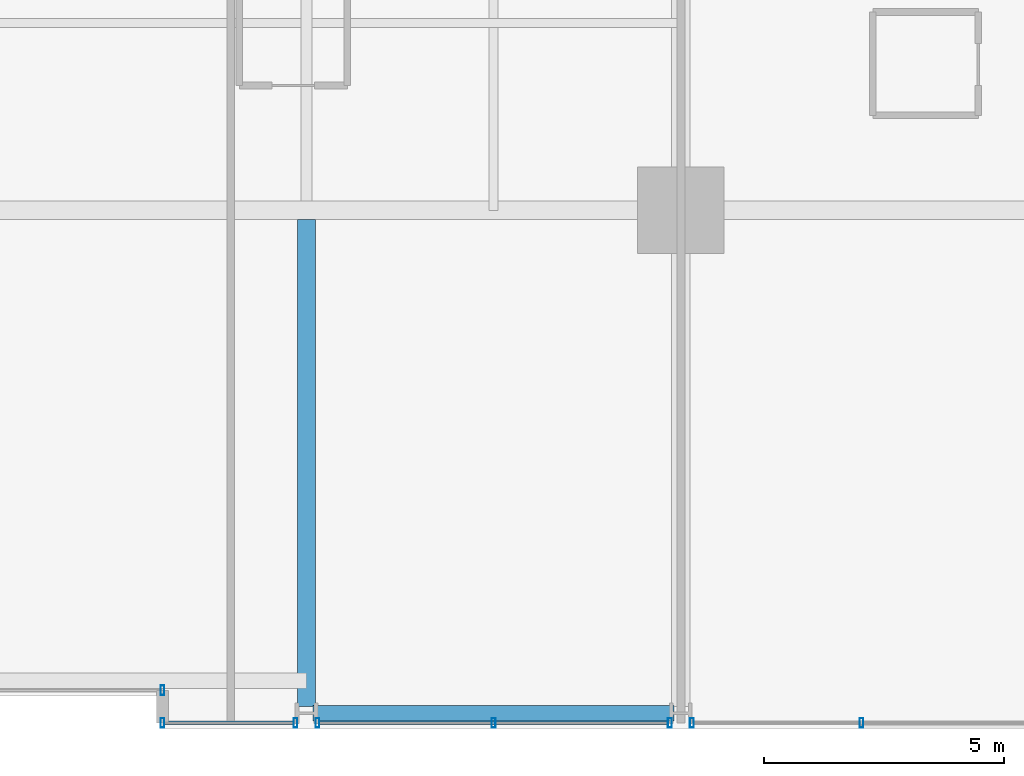
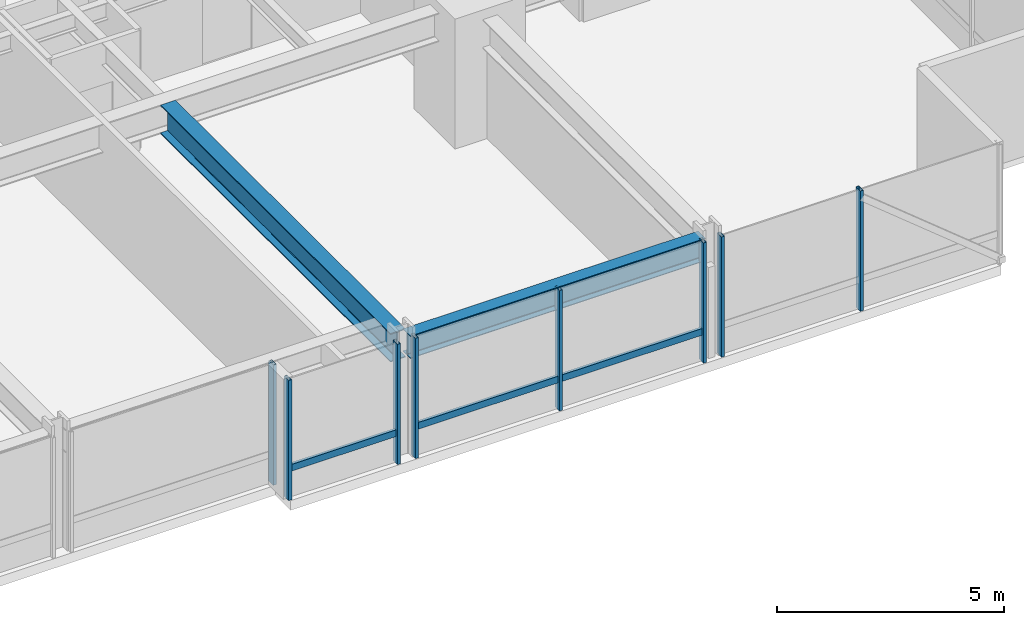
# One storey, part 11 of 38: 10 members, 2 beams, 4 elements without a shape of their own.
"""IFC4 building model written with IfcOpenShell, lengths in metres."""

from ifc_helpers import new_model, si_unit, direction, frame, origin, origin_2d, place, context, subcontext, project, spatial, hollow_rectangle, i_section, extrude, material, layer, layer_set, material_profile, profile_set, type_object, element, aggregate, save


model = new_model("IFC4")

# Units and contexts
model_context = context("Model", 3, precision=1e-05, world=origin(), true_north=direction((0.0, 1.0)))
body_context = subcontext(model_context, "Body", "Model", "MODEL_VIEW")
ifc_project = project(units=[si_unit("LENGTHUNIT", "METRE"), si_unit("AREAUNIT", "SQUARE_METRE"), si_unit("VOLUMEUNIT", "CUBIC_METRE"), si_unit("PLANEANGLEUNIT", "RADIAN"), si_unit("MASSUNIT", "GRAM", prefix="KILO")], contexts=[model_context])

# Site, building, storey
site_placement = place(None, origin())
site = spatial("IfcSite", under=ifc_project, at=site_placement, CompositionType="ELEMENT")
building_placement = place(site_placement, origin())
building = spatial("IfcBuilding", under=site, at=building_placement, Name="Drelvath Grand Hotel", CompositionType="ELEMENT")
storey_placement = place(building_placement, frame((0.0, 0.0, 68.199951171875)))
storey = spatial("IfcBuildingStorey", under=building, at=storey_placement, Name="L16", CompositionType="ELEMENT", Elevation=68.199951171875)

# Curtain wall, member
ifc_material_1 = material(Name="Warm Bronze Anodised Aluminium Frame", Category="aluminium")
ifc_layer = layer(ifc_material_1, 0.199951171875)
ifc_layer_set = layer_set([ifc_layer], Name="Warm Bronze Anodised Aluminium Frame")
curtain_wall_type = type_object("IfcCurtainWallType", Name="Stick Curtain Wall CW-02 Warm Bronze Low-Rise", PredefinedType="NOTDEFINED", material=ifc_layer_set)
curtain_wall_1_placement = place(storey_placement, origin())
curtain_wall_1 = element("IfcCurtainWall", 1, at=curtain_wall_1_placement, inside=storey, type_object=curtain_wall_type, Name="L16 CW-02 Curtain Wall CW02-L16-SE1", PredefinedType="NOTDEFINED")
ifc_material_profile_1 = material_profile(ifc_material_1, hollow_rectangle(XDim=0.074951171875, YDim=0.179931640625, WallThickness=0.0048828125, at=origin_2d()), Name="HSS180X75X5")
ifc_profile_set_1 = profile_set([ifc_material_profile_1], Name="Warm Bronze Anodised Aluminium Frame")
member_type_1 = type_object("IfcMemberType", Name="Curtain Wall Horizontal Transom CW-02 HSS180X75X5", PredefinedType="USERDEFINED", material=ifc_profile_set_1)
member_1_placement = place(storey_placement, frame((8.130859375, 0.1201171875, 0.81005859375), z_axis=(-1.0, 0.0, 0.0), x_axis=(0.0, -1.0, 0.0)))
member_1 = element("IfcMember", 2, at=member_1_placement, type_object=member_type_1, Name="CW02-L16-SE1 Sill Transom", ObjectType="TRANSOM", PredefinedType="USERDEFINED", context=body_context, shape_type="SweptSolid", body=[
    extrude(hollow_rectangle(XDim=0.074951171875, YDim=0.179931640625, WallThickness=0.0048828125, at=origin_2d()), origin(), (0.0, 0.0, 1.0), 2.69091796875),
])

curtain_wall_2_placement = place(storey_placement, origin())
curtain_wall_2 = element("IfcCurtainWall", 3, at=curtain_wall_2_placement, inside=storey, type_object=curtain_wall_type, Name="L16 CW-02 Curtain Wall CW02-L16-SE2", PredefinedType="NOTDEFINED")
member_2_placement = place(storey_placement, frame((15.930908203125, 0.1201171875, 0.81005859375), z_axis=(-1.0, 0.0, 0.0), x_axis=(0.0, -1.0, 0.0)))
member_2 = element("IfcMember", 4, at=member_2_placement, type_object=member_type_1, Name="CW02-L16-SE2 Sill Transom", ObjectType="TRANSOM", PredefinedType="USERDEFINED", context=body_context, shape_type="SweptSolid", body=[
    extrude(hollow_rectangle(XDim=0.074951171875, YDim=0.179931640625, WallThickness=0.0048828125, at=origin_2d()), origin(), (0.0, 0.0, 1.0), 7.26171875),
])

# Member
ifc_material_profile_2 = material_profile(ifc_material_1, hollow_rectangle(XDim=0.080078125, YDim=0.199951171875, WallThickness=0.0048828125, at=origin_2d()), Name="HSS200X80X5")
ifc_profile_set_2 = profile_set([ifc_material_profile_2], Name="Warm Bronze Anodised Aluminium Frame")
member_type_2 = type_object("IfcMemberType", Name="Curtain Wall Vertical Mullion CW-02 HSS200X80X5", PredefinedType="MULLION", material=ifc_profile_set_2)
member_3_placement = place(storey_placement, frame((8.1708984375, 0.1201171875, 0.0), z_axis=(0.0, 0.0, 1.0), x_axis=(1.0, 0.0, 0.0)))
member_3 = element("IfcMember", 5, at=member_3_placement, type_object=member_type_2, Name="CW02-L16-SE1 Mullion 1", PredefinedType="MULLION", context=body_context, shape_type="SweptSolid", body=[
    extrude(hollow_rectangle(XDim=0.080078125, YDim=0.199951171875, WallThickness=0.0048828125, at=origin_2d()), origin(), (0.0, 0.0, 1.0), 3.239990234375),
])

member_4_placement = place(storey_placement, frame((5.39990234375, 0.1201171875, 0.0), z_axis=(0.0, 0.0, 1.0), x_axis=(1.0, 0.0, 0.0)))
member_4 = element("IfcMember", 6, at=member_4_placement, type_object=member_type_2, Name="CW02-L16-SE1 Mullion 2", PredefinedType="MULLION", context=body_context, shape_type="SweptSolid", body=[
    extrude(hollow_rectangle(XDim=0.080078125, YDim=0.199951171875, WallThickness=0.0048828125, at=origin_2d()), origin(), (0.0, 0.0, 1.0), 3.239990234375),
])

aggregate(curtain_wall_1, [member_3, member_4, member_1])

member_5_placement = place(storey_placement, frame((15.970947265625, 0.1201171875, 0.0), z_axis=(0.0, 0.0, 1.0), x_axis=(1.0, 0.0, 0.0)))
member_5 = element("IfcMember", 7, at=member_5_placement, type_object=member_type_2, Name="CW02-L16-SE2 Mullion 1", PredefinedType="MULLION", context=body_context, shape_type="SweptSolid", body=[
    extrude(hollow_rectangle(XDim=0.080078125, YDim=0.199951171875, WallThickness=0.0048828125, at=origin_2d()), origin(), (0.0, 0.0, 1.0), 3.239990234375),
])

member_6_placement = place(storey_placement, frame((12.300048828125, 0.1201171875, 0.0), z_axis=(0.0, 0.0, 1.0), x_axis=(1.0, 0.0, 0.0)))
member_6 = element("IfcMember", 8, at=member_6_placement, type_object=member_type_2, Name="CW02-L16-SE2 Mullion 2", PredefinedType="MULLION", context=body_context, shape_type="SweptSolid", body=[
    extrude(hollow_rectangle(XDim=0.080078125, YDim=0.199951171875, WallThickness=0.0048828125, at=origin_2d()), origin(), (0.0, 0.0, 1.0), 3.239990234375),
])

member_7_placement = place(storey_placement, frame((8.629150390625, 0.1201171875, 0.0), z_axis=(0.0, 0.0, 1.0), x_axis=(1.0, 0.0, 0.0)))
member_7 = element("IfcMember", 9, at=member_7_placement, type_object=member_type_2, Name="CW02-L16-SE2 Mullion 3", PredefinedType="MULLION", context=body_context, shape_type="SweptSolid", body=[
    extrude(hollow_rectangle(XDim=0.080078125, YDim=0.199951171875, WallThickness=0.0048828125, at=origin_2d()), origin(), (0.0, 0.0, 1.0), 3.239990234375),
])

aggregate(curtain_wall_2, [member_5, member_6, member_7, member_2])

# Curtain wall, members
curtain_wall_3_placement = place(storey_placement, origin())
curtain_wall_3 = element("IfcCurtainWall", 10, at=curtain_wall_3_placement, inside=storey, type_object=curtain_wall_type, Name="L16 CW-02 Curtain Wall CW02-L16-SE3", PredefinedType="NOTDEFINED")
member_8_placement = place(storey_placement, frame((19.964599609375, 0.1201171875, 0.0), z_axis=(0.0, 0.0, 1.0), x_axis=(1.0, 0.0, 0.0)))
member_8 = element("IfcMember", 11, at=member_8_placement, type_object=member_type_2, Name="CW02-L16-SE3 Mullion 2", PredefinedType="MULLION", context=body_context, shape_type="SweptSolid", body=[
    extrude(hollow_rectangle(XDim=0.080078125, YDim=0.199951171875, WallThickness=0.0048828125, at=origin_2d()), origin(), (0.0, 0.0, 1.0), 3.239990234375),
])
member_9_placement = place(storey_placement, frame((16.42919921875, 0.1201171875, 0.0), z_axis=(0.0, 0.0, 1.0), x_axis=(1.0, 0.0, 0.0)))
member_9 = element("IfcMember", 12, at=member_9_placement, type_object=member_type_2, Name="CW02-L16-SE3 Mullion 3", PredefinedType="MULLION", context=body_context, shape_type="SweptSolid", body=[
    extrude(hollow_rectangle(XDim=0.080078125, YDim=0.199951171875, WallThickness=0.0048828125, at=origin_2d()), origin(), (0.0, 0.0, 1.0), 3.239990234375),
])
aggregate(curtain_wall_3, [member_8, member_9])

# Curtain wall, member
curtain_wall_4_placement = place(storey_placement, origin())
curtain_wall_4 = element("IfcCurtainWall", 13, at=curtain_wall_4_placement, inside=storey, type_object=curtain_wall_type, Name="L16 CW-02 Curtain Wall CW02-L16-SM2", PredefinedType="NOTDEFINED")
member_10_placement = place(storey_placement, frame((5.39990234375, 0.800048828125, 0.0), z_axis=(0.0, 0.0, 1.0), x_axis=(1.0, 0.0, 0.0)))
member_10 = element("IfcMember", 14, at=member_10_placement, type_object=member_type_2, Name="CW02-L16-SM2 Mullion 1", PredefinedType="MULLION", context=body_context, shape_type="SweptSolid", body=[
    extrude(hollow_rectangle(XDim=0.080078125, YDim=0.199951171875, WallThickness=0.0048828125, at=origin_2d()), origin(), (0.0, 0.0, 1.0), 3.239990234375),
])
aggregate(curtain_wall_4, [member_10])

# Beams
ifc_material_2 = material(Name="Steel ASTM A992 Gr 50", Category="steel")
ifc_material_profile_3 = material_profile(ifc_material_2, i_section(OverallWidth=0.323974609375, OverallDepth=0.611083984375, WebThickness=0.0126953125, FlangeThickness=0.01904296875, FilletRadius=0.02197265625, at=origin_2d()), Name="W24X104")
ifc_profile_set_3 = profile_set([ifc_material_profile_3], Name="Steel ASTM A992 Gr 50")
beam_type_1 = type_object("IfcBeamType", Name="Perimeter Spandrel Beam W24X104", PredefinedType="SPANDREL", material=ifc_profile_set_3)
beam_1_placement = place(storey_placement, frame((8.5400390625, 0.320068359375, 2.9345703125), z_axis=(1.0, 0.0, 0.0), x_axis=(0.0, 1.0, 0.0)))
element("IfcBeam", 15, at=beam_1_placement, inside=storey, type_object=beam_type_1, Name="L16 Spandrel South E", PredefinedType="SPANDREL", context=body_context, shape_type="SweptSolid", body=[
    extrude(i_section(OverallWidth=0.323974609375, OverallDepth=0.611083984375, WebThickness=0.0126953125, FlangeThickness=0.01904296875, FilletRadius=0.02197265625, at=origin_2d()), origin(), (0.0, 0.0, 1.0), 7.52001953125),
])
ifc_material_profile_4 = material_profile(ifc_material_2, i_section(OverallWidth=0.380615234375, OverallDepth=0.773193359375, WebThickness=0.0166015625, FlangeThickness=0.027099609375, FilletRadius=0.02490234375, at=origin_2d()), Name="W30X173")
ifc_profile_set_4 = profile_set([ifc_material_profile_4], Name="Steel ASTM A992 Gr 50")
beam_type_2 = type_object("IfcBeamType", Name="Primary Floor Girder W30X173", PredefinedType="BEAM", material=ifc_profile_set_4)
beam_2_placement = place(storey_placement, frame((8.39990234375, 0.4599609375, 2.853515625), z_axis=(0.0, 1.0, 0.0), x_axis=(-1.0, 0.0, 0.0)))
element("IfcBeam", 16, at=beam_2_placement, inside=storey, type_object=beam_type_2, Name="L16 South Wing Girder 6", PredefinedType="BEAM", context=body_context, shape_type="SweptSolid", body=[
    extrude(i_section(OverallWidth=0.380615234375, OverallDepth=0.773193359375, WebThickness=0.0166015625, FlangeThickness=0.027099609375, FilletRadius=0.02490234375, at=origin_2d()), origin(), (0.0, 0.0, 1.0), 10.149658203125),
])

save(model, "model.ifc")
